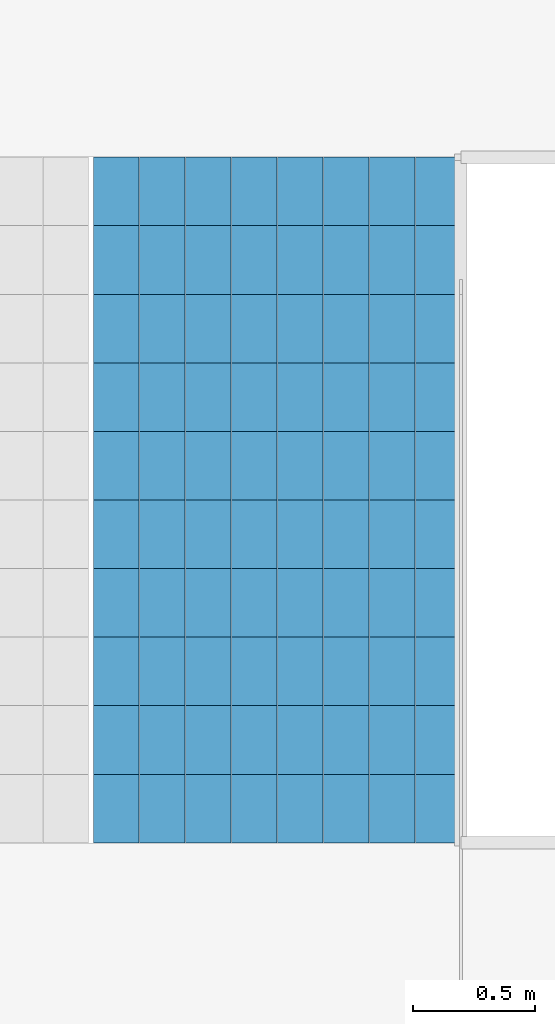
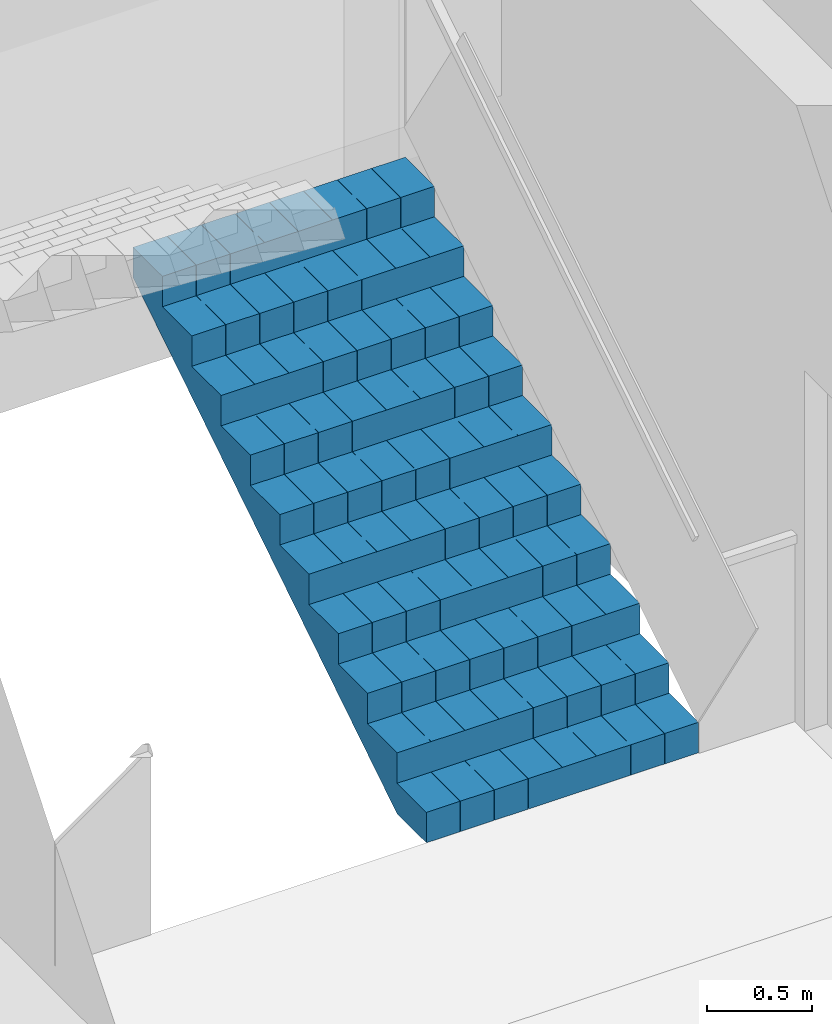
# One storey, part 12 of 14: 1 stair flight, 1 element without a shape of its own.
"""IFC4 building model written with IfcOpenShell, lengths in metres."""

from ifc_helpers import new_model, si_unit, direction, frame, origin, place, context, subcontext, project, spatial, polyline, outline, extrude, material, type_object, element, aggregate, save


model = new_model("IFC4")

# Units and contexts
model_context = context("Model", 3, precision=1e-05, world=origin(), true_north=direction((0.0, 1.0)))
body_context = subcontext(model_context, "Body", "Model", "MODEL_VIEW")
ifc_project = project(units=[si_unit("LENGTHUNIT", "METRE"), si_unit("AREAUNIT", "SQUARE_METRE"), si_unit("VOLUMEUNIT", "CUBIC_METRE"), si_unit("PLANEANGLEUNIT", "RADIAN"), si_unit("MASSUNIT", "GRAM", prefix="KILO")], contexts=[model_context])

# Site, building, storey
site_placement = place(None, origin())
site = spatial("IfcSite", under=ifc_project, at=site_placement, CompositionType="ELEMENT")
building_placement = place(site_placement, origin())
building = spatial("IfcBuilding", under=site, at=building_placement, Name="Kolab Exchange Tower", CompositionType="ELEMENT")
storey_placement = place(building_placement, frame((0.0, 0.0, 293.0)))
storey = spatial("IfcBuildingStorey", under=building, at=storey_placement, Name="L66", CompositionType="ELEMENT", Elevation=293.0)

# Stair, stair flight
ifc_material = material(Name="Concrete C50/60", Category="concrete")
stair_type = type_object("IfcStairType", Name="STAIR ST1 RISER 177.3", PredefinedType="HALF_TURN_STAIR", material=ifc_material)
stair_placement = place(storey_placement, origin())
stair = element("IfcStair", 1, at=stair_placement, inside=storey, type_object=stair_type, Name="Stair 1", PredefinedType="HALF_TURN_STAIR")
stair_flight_type = type_object("IfcStairFlightType", Name="STAIR FLIGHT 1500 RISER 177.3", PredefinedType="STRAIGHT", material=ifc_material)
stair_flight_placement = place(storey_placement, frame((-6.527587890625, 5.550048828125, 0.0), z_axis=(0.0, 0.0, 1.0), x_axis=(0.0, 1.0, 0.0)))
stair_flight = element("IfcStairFlight", 2, at=stair_flight_placement, type_object=stair_flight_type, Name="ST1 flight 1", NumberOfRisers=11, NumberOfTreads=10, PredefinedType="STRAIGHT", RiserHeight=0.177272727, TreadLength=0.28, context=body_context, shape_type="SweptSolid", body=[
    extrude(outline(polyline([(0.0, 0.0), (0.0, 0.17724609375), (0.280029296875, 0.17724609375), (0.280029296875, 0.3544921875), (0.56005859375, 0.3544921875), (0.56005859375, 0.53173828125), (0.840087890625, 0.53173828125), (0.840087890625, 0.708984375), (1.1201171875, 0.708984375), (1.1201171875, 0.886474609375), (1.39990234375, 0.886474609375), (1.39990234375, 1.063720703125), (1.679931640625, 1.063720703125), (1.679931640625, 1.240966796875), (1.9599609375, 1.240966796875), (1.9599609375, 1.418212890625), (2.239990234375, 1.418212890625), (2.239990234375, 1.595458984375), (2.52001953125, 1.595458984375), (2.52001953125, 1.772705078125), (2.800048828125, 1.772705078125), (2.800048828125, 1.949951171875), (2.800048828125, 1.59521484375), (0.2802734375, 0.0), (0.0, 0.0)])), frame((0.0, 0.75, 0.0), z_axis=(0.0, -1.0, 0.0), x_axis=(1.0, 0.0, 0.0)), (0.0, 0.0, 1.0), 0.185791015625),
    extrude(outline(polyline([(0.0, 0.0), (0.0, 0.17724609375), (0.280029296875, 0.17724609375), (0.280029296875, 0.3544921875), (0.56005859375, 0.3544921875), (0.56005859375, 0.53173828125), (0.840087890625, 0.53173828125), (0.840087890625, 0.708984375), (1.1201171875, 0.708984375), (1.1201171875, 0.886474609375), (1.39990234375, 0.886474609375), (1.39990234375, 1.063720703125), (1.679931640625, 1.063720703125), (1.679931640625, 1.240966796875), (1.9599609375, 1.240966796875), (1.9599609375, 1.418212890625), (2.239990234375, 1.418212890625), (2.239990234375, 1.595458984375), (2.52001953125, 1.595458984375), (2.52001953125, 1.772705078125), (2.800048828125, 1.772705078125), (2.800048828125, 1.949951171875), (2.800048828125, 1.59521484375), (0.2802734375, 0.0), (0.0, 0.0)])), frame((0.0, 0.562255859375, 0.0), z_axis=(0.0, -1.0, 0.0), x_axis=(1.0, 0.0, 0.0)), (0.0, 0.0, 1.0), 0.185791015625),
    extrude(outline(polyline([(0.0, 0.0), (0.0, 0.17724609375), (0.280029296875, 0.17724609375), (0.280029296875, 0.3544921875), (0.56005859375, 0.3544921875), (0.56005859375, 0.53173828125), (0.840087890625, 0.53173828125), (0.840087890625, 0.708984375), (1.1201171875, 0.708984375), (1.1201171875, 0.886474609375), (1.39990234375, 0.886474609375), (1.39990234375, 1.063720703125), (1.679931640625, 1.063720703125), (1.679931640625, 1.240966796875), (1.9599609375, 1.240966796875), (1.9599609375, 1.418212890625), (2.239990234375, 1.418212890625), (2.239990234375, 1.595458984375), (2.52001953125, 1.595458984375), (2.52001953125, 1.772705078125), (2.800048828125, 1.772705078125), (2.800048828125, 1.949951171875), (2.800048828125, 1.59521484375), (0.2802734375, 0.0), (0.0, 0.0)])), frame((0.0, 0.37451171875, 0.0), z_axis=(0.0, -1.0, 0.0), x_axis=(1.0, 0.0, 0.0)), (0.0, 0.0, 1.0), 0.185791015625),
    extrude(outline(polyline([(0.0, 0.0), (0.0, 0.17724609375), (0.280029296875, 0.17724609375), (0.280029296875, 0.3544921875), (0.56005859375, 0.3544921875), (0.56005859375, 0.53173828125), (0.840087890625, 0.53173828125), (0.840087890625, 0.708984375), (1.1201171875, 0.708984375), (1.1201171875, 0.886474609375), (1.39990234375, 0.886474609375), (1.39990234375, 1.063720703125), (1.679931640625, 1.063720703125), (1.679931640625, 1.240966796875), (1.9599609375, 1.240966796875), (1.9599609375, 1.418212890625), (2.239990234375, 1.418212890625), (2.239990234375, 1.595458984375), (2.52001953125, 1.595458984375), (2.52001953125, 1.772705078125), (2.800048828125, 1.772705078125), (2.800048828125, 1.949951171875), (2.800048828125, 1.59521484375), (0.2802734375, 0.0), (0.0, 0.0)])), frame((0.0, 0.186767578125, 0.0), z_axis=(0.0, -1.0, 0.0), x_axis=(1.0, 0.0, 0.0)), (0.0, 0.0, 1.0), 0.185791015625),
    extrude(outline(polyline([(0.0, 0.0), (0.0, 0.17724609375), (0.280029296875, 0.17724609375), (0.280029296875, 0.3544921875), (0.56005859375, 0.3544921875), (0.56005859375, 0.53173828125), (0.840087890625, 0.53173828125), (0.840087890625, 0.708984375), (1.1201171875, 0.708984375), (1.1201171875, 0.886474609375), (1.39990234375, 0.886474609375), (1.39990234375, 1.063720703125), (1.679931640625, 1.063720703125), (1.679931640625, 1.240966796875), (1.9599609375, 1.240966796875), (1.9599609375, 1.418212890625), (2.239990234375, 1.418212890625), (2.239990234375, 1.595458984375), (2.52001953125, 1.595458984375), (2.52001953125, 1.772705078125), (2.800048828125, 1.772705078125), (2.800048828125, 1.949951171875), (2.800048828125, 1.59521484375), (0.2802734375, 0.0), (0.0, 0.0)])), frame((0.0, -0.0009765625, 0.0), z_axis=(0.0, -1.0, 0.0), x_axis=(1.0, 0.0, 0.0)), (0.0, 0.0, 1.0), 0.185791015625),
    extrude(outline(polyline([(0.0, 0.0), (0.0, 0.17724609375), (0.280029296875, 0.17724609375), (0.280029296875, 0.3544921875), (0.56005859375, 0.3544921875), (0.56005859375, 0.53173828125), (0.840087890625, 0.53173828125), (0.840087890625, 0.708984375), (1.1201171875, 0.708984375), (1.1201171875, 0.886474609375), (1.39990234375, 0.886474609375), (1.39990234375, 1.063720703125), (1.679931640625, 1.063720703125), (1.679931640625, 1.240966796875), (1.9599609375, 1.240966796875), (1.9599609375, 1.418212890625), (2.239990234375, 1.418212890625), (2.239990234375, 1.595458984375), (2.52001953125, 1.595458984375), (2.52001953125, 1.772705078125), (2.800048828125, 1.772705078125), (2.800048828125, 1.949951171875), (2.800048828125, 1.59521484375), (0.2802734375, 0.0), (0.0, 0.0)])), frame((0.0, -0.188720703125, 0.0), z_axis=(0.0, -1.0, 0.0), x_axis=(1.0, 0.0, 0.0)), (0.0, 0.0, 1.0), 0.185791015625),
    extrude(outline(polyline([(0.0, 0.0), (0.0, 0.17724609375), (0.280029296875, 0.17724609375), (0.280029296875, 0.3544921875), (0.56005859375, 0.3544921875), (0.56005859375, 0.53173828125), (0.840087890625, 0.53173828125), (0.840087890625, 0.708984375), (1.1201171875, 0.708984375), (1.1201171875, 0.886474609375), (1.39990234375, 0.886474609375), (1.39990234375, 1.063720703125), (1.679931640625, 1.063720703125), (1.679931640625, 1.240966796875), (1.9599609375, 1.240966796875), (1.9599609375, 1.418212890625), (2.239990234375, 1.418212890625), (2.239990234375, 1.595458984375), (2.52001953125, 1.595458984375), (2.52001953125, 1.772705078125), (2.800048828125, 1.772705078125), (2.800048828125, 1.949951171875), (2.800048828125, 1.59521484375), (0.2802734375, 0.0), (0.0, 0.0)])), frame((0.0, -0.37646484375, 0.0), z_axis=(0.0, -1.0, 0.0), x_axis=(1.0, 0.0, 0.0)), (0.0, 0.0, 1.0), 0.185791015625),
    extrude(outline(polyline([(0.0, 0.0), (0.0, 0.17724609375), (0.280029296875, 0.17724609375), (0.280029296875, 0.3544921875), (0.56005859375, 0.3544921875), (0.56005859375, 0.53173828125), (0.840087890625, 0.53173828125), (0.840087890625, 0.708984375), (1.1201171875, 0.708984375), (1.1201171875, 0.886474609375), (1.39990234375, 0.886474609375), (1.39990234375, 1.063720703125), (1.679931640625, 1.063720703125), (1.679931640625, 1.240966796875), (1.9599609375, 1.240966796875), (1.9599609375, 1.418212890625), (2.239990234375, 1.418212890625), (2.239990234375, 1.595458984375), (2.52001953125, 1.595458984375), (2.52001953125, 1.772705078125), (2.800048828125, 1.772705078125), (2.800048828125, 1.949951171875), (2.800048828125, 1.59521484375), (0.2802734375, 0.0), (0.0, 0.0)])), frame((0.0, -0.564208984375, 0.0), z_axis=(0.0, -1.0, 0.0), x_axis=(1.0, 0.0, 0.0)), (0.0, 0.0, 1.0), 0.185791015625),
])
aggregate(stair, [stair_flight])

save(model, "model.ifc")
